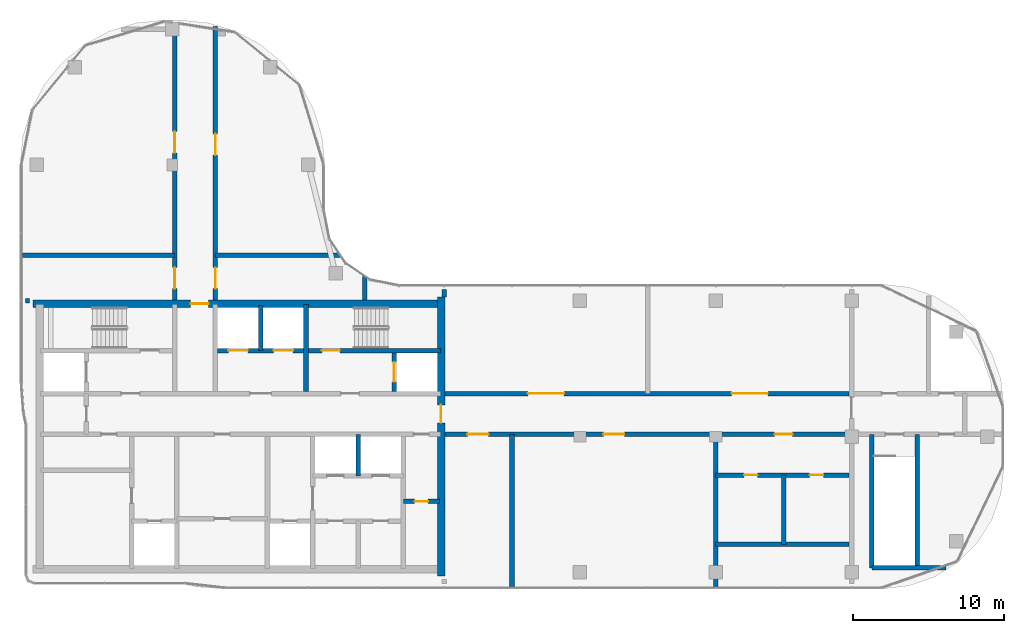
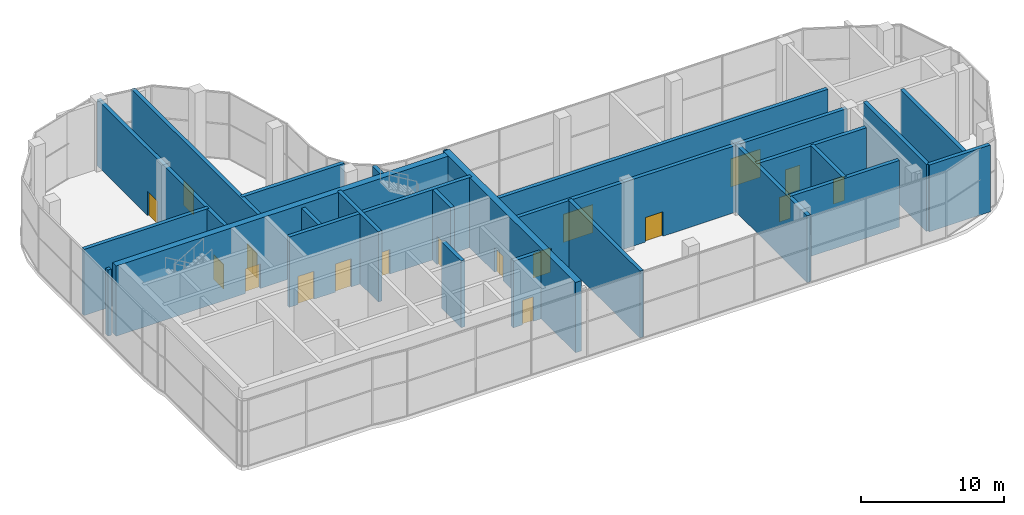
# One storey, part 17 of 21: 25 walls, 18 doors, 18 openings.
"""IFC4 building model written with IfcOpenShell, lengths in metres."""

from ifc_helpers import new_model, si_unit, direction, frame, frame_2d, origin, place, context, subcontext, project, spatial, rectangle, extrude, material, layer, layer_set, type_object, element, fill, save


model = new_model("IFC4")

# Units and contexts
model_context = context("Model", 3, precision=1e-05, world=origin(), true_north=direction((0.0, 1.0)))
body_context = subcontext(model_context, "Body", "Model", "MODEL_VIEW")
ifc_project = project(units=[si_unit("LENGTHUNIT", "METRE"), si_unit("AREAUNIT", "SQUARE_METRE"), si_unit("VOLUMEUNIT", "CUBIC_METRE"), si_unit("PLANEANGLEUNIT", "RADIAN"), si_unit("MASSUNIT", "GRAM", prefix="KILO")], contexts=[model_context])

# Site, building, storey
site_placement = place(None, origin())
site = spatial("IfcSite", under=ifc_project, at=site_placement, CompositionType="ELEMENT")
building_placement = place(site_placement, origin())
building = spatial("IfcBuilding", under=site, at=building_placement, Name="Ogive Portal Towers", CompositionType="ELEMENT")
storey_placement = place(building_placement, frame((0.0, 0.0, 266.89990234375)))
storey = spatial("IfcBuildingStorey", under=building, at=storey_placement, Name="L65", CompositionType="ELEMENT", Elevation=266.89990234375)

# Wall, openings, doors
ifc_material_1 = material(Name="Concrete C60/75", Category="concrete")
ifc_layer_1 = layer(ifc_material_1, 0.300048828125)
ifc_layer_set_1 = layer_set([ifc_layer_1], Name="CORE WALL 300 C60")
wall_type_1 = type_object("IfcWallType", Name="CORE WALL 300 C60", PredefinedType="SHEAR", material=ifc_layer_set_1)
wall_1_placement = place(storey_placement, frame((43.5, 36.199951171875, 0.0), z_axis=(0.0, 0.0, 1.0), x_axis=(1.0, 0.0, 0.0)))
wall_1 = element("IfcWall", 1, at=wall_1_placement, inside=storey, type_object=wall_type_1, Name="Core wall Y3b L65", PredefinedType="SHEAR", context=body_context, shape_type="SweptSolid", body=[
    extrude(rectangle(XDim=14.75, YDim=0.300048828125, at=frame_2d((7.375, 0.0))), origin(), (0.0, 0.0, 1.0), 6.0),
])
opening_1_placement = place(wall_1_placement, frame((6.89990234375, 0.0, 0.0)))
opening_1 = element("IfcOpeningElement", 2, at=opening_1_placement, cuts=wall_1, Name="Opening D31-006", PredefinedType="OPENING", context=body_context, shape_type="SweptSolid", body=[
    extrude(rectangle(XDim=1.199951171875, YDim=2.10009765625, at=frame_2d((0.60009765625, 1.050048828125))), frame((0.0, 0.16015625, 0.0), z_axis=(0.0, -1.0, 0.0), x_axis=(1.0, 0.0, 0.0)), (0.0, 0.0, 1.0), 0.320068359375),
])
opening_2_placement = place(wall_1_placement, frame((0.699951171875, 0.0, 0.0)))
opening_2 = element("IfcOpeningElement", 3, at=opening_2_placement, cuts=wall_1, Name="Opening D31-015", PredefinedType="OPENING", context=body_context, shape_type="SweptSolid", body=[
    extrude(rectangle(XDim=1.300048828125, YDim=2.39990234375, at=frame_2d((0.64990234375, 1.199951171875))), frame((0.0, 0.16015625, 0.0), z_axis=(0.0, -1.0, 0.0), x_axis=(1.0, 0.0, 0.0)), (0.0, 0.0, 1.0), 0.320068359375),
])
opening_3_placement = place(wall_1_placement, frame((3.699951171875, 0.0, 0.0)))
opening_3 = element("IfcOpeningElement", 4, at=opening_3_placement, cuts=wall_1, Name="Opening D31-016", PredefinedType="OPENING", context=body_context, shape_type="SweptSolid", body=[
    extrude(rectangle(XDim=1.300048828125, YDim=2.39990234375, at=frame_2d((0.64990234375, 1.199951171875))), frame((0.0, 0.16015625, 0.0), z_axis=(0.0, -1.0, 0.0), x_axis=(1.0, 0.0, 0.0)), (0.0, 0.0, 1.0), 0.320068359375),
])
ifc_material_2 = material(Name="Stainless steel", Category="steel")
door_type_1 = type_object("IfcDoorType", Name="DT-LD-1300x2400", OperationType="SLIDING_TO_LEFT", PredefinedType="DOOR", material=ifc_material_2)
door_1_placement = place(opening_2_placement, origin())
door_1 = element("IfcDoor", 5, at=door_1_placement, inside=storey, type_object=door_type_1, Name="Door D31-015", OperationType="SLIDING_TO_LEFT", OverallHeight=2.39990234375, OverallWidth=1.300048828125, PredefinedType="DOOR", context=body_context, shape_type="SweptSolid", body=[
    extrude(rectangle(XDim=1.300048828125, YDim=2.39990234375, at=frame_2d((0.64990234375, 1.199951171875))), frame((0.0, 0.02490234375, 0.0), z_axis=(0.0, -1.0, 0.0), x_axis=(1.0, 0.0, 0.0)), (0.0, 0.0, 1.0), 0.050048828125),
])
fill(opening_2, door_1)
door_2_placement = place(opening_3_placement, origin())
door_2 = element("IfcDoor", 6, at=door_2_placement, inside=storey, type_object=door_type_1, Name="Door D31-016", OperationType="SLIDING_TO_LEFT", OverallHeight=2.39990234375, OverallWidth=1.300048828125, PredefinedType="DOOR", context=body_context, shape_type="SweptSolid", body=[
    extrude(rectangle(XDim=1.300048828125, YDim=2.39990234375, at=frame_2d((0.64990234375, 1.199951171875))), frame((0.0, 0.02490234375, 0.0), z_axis=(0.0, -1.0, 0.0), x_axis=(1.0, 0.0, 0.0)), (0.0, 0.0, 1.0), 0.050048828125),
])
fill(opening_3, door_2)
ifc_material_3 = material(Name="Steel fire door", Category="steel")
door_type_2 = type_object("IfcDoorType", Name="DT-SWING-1200x2100-FD90S", OperationType="SINGLE_SWING_LEFT", PredefinedType="DOOR", material=ifc_material_3)
door_3_placement = place(opening_1_placement, origin())
door_3 = element("IfcDoor", 7, at=door_3_placement, inside=storey, type_object=door_type_2, Name="Door D31-006", OperationType="SINGLE_SWING_LEFT", OverallHeight=2.10009765625, OverallWidth=1.199951171875, PredefinedType="DOOR", context=body_context, shape_type="SweptSolid", body=[
    extrude(rectangle(XDim=1.199951171875, YDim=2.10009765625, at=frame_2d((0.60009765625, 1.050048828125))), frame((0.0, 0.02490234375, 0.0), z_axis=(0.0, -1.0, 0.0), x_axis=(1.0, 0.0, 0.0)), (0.0, 0.0, 1.0), 0.050048828125),
])
fill(opening_1, door_3)

# Wall
wall_2_placement = place(storey_placement, frame((49.35009765625, 33.5, 0.0), z_axis=(0.0, 0.0, 1.0), x_axis=(0.0, 1.0, 0.0)))
element("IfcWall", 8, at=wall_2_placement, inside=storey, type_object=wall_type_1, Name="Core wall X9 L65", PredefinedType="SHEAR", context=body_context, shape_type="SweptSolid", body=[
    extrude(rectangle(XDim=5.75, YDim=0.300048828125, at=frame_2d((2.875, 0.0))), origin(), (0.0, 0.0, 1.0), 6.0),
])

# Wall, opening, door
wall_3_placement = place(storey_placement, frame((55.199951171875, 33.5, 0.0), z_axis=(0.0, 0.0, 1.0), x_axis=(0.0, 1.0, 0.0)))
wall_3 = element("IfcWall", 9, at=wall_3_placement, inside=storey, type_object=wall_type_1, Name="Core wall X10 L65", PredefinedType="SHEAR", context=body_context, shape_type="SweptSolid", body=[
    extrude(rectangle(XDim=2.550048828125, YDim=0.300048828125, at=frame_2d((1.27490234375, 0.0))), origin(), (0.0, 0.0, 1.0), 6.0),
])
opening_4_placement = place(wall_3_placement, frame((0.625, 0.0, 0.0)))
opening_4 = element("IfcOpeningElement", 10, at=opening_4_placement, cuts=wall_3, Name="Opening D31-018", PredefinedType="OPENING", context=body_context, shape_type="SweptSolid", body=[
    extrude(rectangle(XDim=1.300048828125, YDim=2.39990234375, at=frame_2d((0.64990234375, 1.199951171875))), frame((0.0, 0.16015625, 0.0), z_axis=(0.0, -1.0, 0.0), x_axis=(1.0, 0.0, 0.0)), (0.0, 0.0, 1.0), 0.320068359375),
])
door_4_placement = place(opening_4_placement, origin())
door_4 = element("IfcDoor", 11, at=door_4_placement, inside=storey, type_object=door_type_1, Name="Door D31-018", OperationType="SLIDING_TO_LEFT", OverallHeight=2.39990234375, OverallWidth=1.300048828125, PredefinedType="DOOR", context=body_context, shape_type="SweptSolid", body=[
    extrude(rectangle(XDim=1.300048828125, YDim=2.39990234375, at=frame_2d((0.64990234375, 1.199951171875))), frame((0.0, 0.02490234375, 0.0), z_axis=(0.0, -1.0, 0.0), x_axis=(1.0, 0.0, 0.0)), (0.0, 0.0, 1.0), 0.050048828125),
])
fill(opening_4, door_4)

ifc_layer_2 = layer(ifc_material_1, 0.5)
ifc_layer_set_2 = layer_set([ifc_layer_2], Name="CORE WALL 500 C60")
wall_type_2 = type_object("IfcWallType", Name="CORE WALL 500 C60", PredefinedType="SHEAR", material=ifc_layer_set_2)
wall_4_placement = place(storey_placement, frame((58.300048828125, 21.25, 0.0), z_axis=(0.0, 0.0, 1.0), x_axis=(0.0, 1.0, 0.0)))
wall_4 = element("IfcWall", 12, at=wall_4_placement, inside=storey, type_object=wall_type_2, Name="Core wall E L65", PredefinedType="SHEAR", context=body_context, shape_type="SweptSolid", body=[
    extrude(rectangle(XDim=18.5, YDim=0.5, at=frame_2d((9.25, 0.0))), origin(), (0.0, 0.0, 1.0), 6.0),
])
opening_5_placement = place(wall_4_placement, frame((10.14990234375, 0.0, 0.0)))
opening_5 = element("IfcOpeningElement", 13, at=opening_5_placement, cuts=wall_4, Name="Opening D31-011", PredefinedType="OPENING", context=body_context, shape_type="SweptSolid", body=[
    extrude(rectangle(XDim=1.199951171875, YDim=2.10009765625, at=frame_2d((0.60009765625, 1.050048828125))), frame((0.0, 0.260009765625, 0.0), z_axis=(0.0, -1.0, 0.0), x_axis=(1.0, 0.0, 0.0)), (0.0, 0.0, 1.0), 0.52001953125),
])
door_5_placement = place(opening_5_placement, origin())
door_5 = element("IfcDoor", 14, at=door_5_placement, inside=storey, type_object=door_type_2, Name="Door D31-011", OperationType="SINGLE_SWING_LEFT", OverallHeight=2.10009765625, OverallWidth=1.199951171875, PredefinedType="DOOR", context=body_context, shape_type="SweptSolid", body=[
    extrude(rectangle(XDim=1.199951171875, YDim=2.10009765625, at=frame_2d((0.60009765625, 1.050048828125))), frame((0.0, 0.02490234375, 0.0), z_axis=(0.0, -1.0, 0.0), x_axis=(1.0, 0.0, 0.0)), (0.0, 0.0, 1.0), 0.050048828125),
])
fill(opening_5, door_5)

wall_5_placement = place(storey_placement, frame((31.25, 39.300048828125, 0.0), z_axis=(0.0, 0.0, 1.0), x_axis=(1.0, 0.0, 0.0)))
wall_5 = element("IfcWall", 15, at=wall_5_placement, inside=storey, type_object=wall_type_2, Name="Core wall N L65", PredefinedType="SHEAR", context=body_context, shape_type="SweptSolid", body=[
    extrude(rectangle(XDim=27.0, YDim=0.5, at=frame_2d((13.5, 0.0))), origin(), (0.0, 0.0, 1.0), 6.0),
])
opening_6_placement = place(wall_5_placement, frame((10.449951171875, 0.0, 0.0)))
opening_6 = element("IfcOpeningElement", 16, at=opening_6_placement, cuts=wall_5, Name="Opening D31-012", PredefinedType="OPENING", context=body_context, shape_type="SweptSolid", body=[
    extrude(rectangle(XDim=1.199951171875, YDim=2.10009765625, at=frame_2d((0.60009765625, 1.050048828125))), frame((0.0, 0.260009765625, 0.0), z_axis=(0.0, -1.0, 0.0), x_axis=(1.0, 0.0, 0.0)), (0.0, 0.0, 1.0), 0.52001953125),
])
door_6_placement = place(opening_6_placement, origin())
door_6 = element("IfcDoor", 17, at=door_6_placement, inside=storey, type_object=door_type_2, Name="Door D31-012", OperationType="SINGLE_SWING_RIGHT", OverallHeight=2.10009765625, OverallWidth=1.199951171875, PredefinedType="DOOR", context=body_context, shape_type="SweptSolid", body=[
    extrude(rectangle(XDim=1.199951171875, YDim=2.10009765625, at=frame_2d((0.60009765625, 1.050048828125))), frame((0.0, 0.02490234375, 0.0), z_axis=(0.0, -1.0, 0.0), x_axis=(1.0, 0.0, 0.0)), (0.0, 0.0, 1.0), 0.050048828125),
])
fill(opening_6, door_6)

ifc_material_4 = material(Name="Gypsum board partition on steel studs", Category="steel")
ifc_layer_3 = layer(ifc_material_4, 0.300048828125)
ifc_layer_set_3 = layer_set([ifc_layer_3], Name="WT-PART-300")
wall_type_3 = type_object("IfcWallType", Name="WT-PART-300", PredefinedType="PARTITIONING", material=ifc_layer_set_3)
wall_6_placement = place(storey_placement, frame((55.800048828125, 26.199951171875, 0.0), z_axis=(0.0, 0.0, 1.0), x_axis=(1.0, 0.0, 0.0)))
wall_6 = element("IfcWall", 18, at=wall_6_placement, inside=storey, type_object=wall_type_3, Name="Wall pw:004:L65", PredefinedType="PARTITIONING", context=body_context, shape_type="SweptSolid", body=[
    extrude(rectangle(XDim=2.39990234375, YDim=0.300048828125, at=frame_2d((1.199951171875, 0.0))), origin(), (0.0, 0.0, 1.0), 5.7001953125),
])
opening_7_placement = place(wall_6_placement, frame((0.75, 0.0, 0.0)))
opening_7 = element("IfcOpeningElement", 19, at=opening_7_placement, cuts=wall_6, Name="Opening D31-010", PredefinedType="OPENING", context=body_context, shape_type="SweptSolid", body=[
    extrude(rectangle(XDim=0.89990234375, YDim=2.10009765625, at=frame_2d((0.449951171875, 1.050048828125))), frame((0.0, 0.16015625, 0.0), z_axis=(0.0, -1.0, 0.0), x_axis=(1.0, 0.0, 0.0)), (0.0, 0.0, 1.0), 0.320068359375),
])
door_type_3 = type_object("IfcDoorType", Name="DT-SWING-900x2100-FD60S", OperationType="SINGLE_SWING_LEFT", PredefinedType="DOOR", material=ifc_material_3)
door_7_placement = place(opening_7_placement, origin())
door_7 = element("IfcDoor", 20, at=door_7_placement, inside=storey, type_object=door_type_3, Name="Door D31-010", OperationType="SINGLE_SWING_RIGHT", OverallHeight=2.10009765625, OverallWidth=0.89990234375, PredefinedType="DOOR", context=body_context, shape_type="SweptSolid", body=[
    extrude(rectangle(XDim=0.89990234375, YDim=2.10009765625, at=frame_2d((0.449951171875, 1.050048828125))), frame((0.0, 0.02490234375, 0.0), z_axis=(0.0, -1.0, 0.0), x_axis=(1.0, 0.0, 0.0)), (0.0, 0.0, 1.0), 0.050048828125),
])
fill(opening_7, door_7)

# Wall, openings, doors
ifc_layer_4 = layer(ifc_material_4, 0.300048828125)
ifc_layer_set_4 = layer_set([ifc_layer_4], Name="WT-PART-300-EI 120")
wall_type_4 = type_object("IfcWallType", Name="WT-PART-300-EI 120", PredefinedType="PARTITIONING", material=ifc_layer_set_4)
wall_7_placement = place(storey_placement, frame((58.550048828125, 30.64990234375, 0.0), z_axis=(0.0, 0.0, 1.0), x_axis=(1.0, 0.0, 0.0)))
wall_7 = element("IfcWall", 21, at=wall_7_placement, inside=storey, type_object=wall_type_4, Name="Wall L65:w004", PredefinedType="PARTITIONING", context=body_context, shape_type="SweptSolid", body=[
    extrude(rectangle(XDim=26.780029296875, YDim=0.300048828125, at=frame_2d((13.39013671875, 0.0))), origin(), (0.0, 0.0, 1.0), 5.7001953125),
])
opening_8_placement = place(wall_7_placement, frame((1.5, 0.0, 0.0)))
opening_8 = element("IfcOpeningElement", 22, at=opening_8_placement, cuts=wall_7, Name="Opening D31-028", PredefinedType="OPENING", context=body_context, shape_type="SweptSolid", body=[
    extrude(rectangle(XDim=1.39990234375, YDim=2.10009765625, at=frame_2d((0.699951171875, 1.050048828125))), frame((0.0, 0.16015625, 0.0), z_axis=(0.0, -1.0, 0.0), x_axis=(1.0, 0.0, 0.0)), (0.0, 0.0, 1.0), 0.320068359375),
])
opening_9_placement = place(wall_7_placement, frame((10.5, 0.0, 0.0)))
opening_9 = element("IfcOpeningElement", 23, at=opening_9_placement, cuts=wall_7, Name="Opening D31-029", PredefinedType="OPENING", context=body_context, shape_type="SweptSolid", body=[
    extrude(rectangle(XDim=1.39990234375, YDim=2.10009765625, at=frame_2d((0.699951171875, 1.050048828125))), frame((0.0, 0.16015625, 0.0), z_axis=(0.0, -1.0, 0.0), x_axis=(1.0, 0.0, 0.0)), (0.0, 0.0, 1.0), 0.320068359375),
])
opening_10_placement = place(wall_7_placement, frame((21.85009765625, 0.0, 0.0)))
opening_10 = element("IfcOpeningElement", 24, at=opening_10_placement, cuts=wall_7, Name="Opening D31-030", PredefinedType="OPENING", context=body_context, shape_type="SweptSolid", body=[
    extrude(rectangle(XDim=1.199951171875, YDim=2.10009765625, at=frame_2d((0.60009765625, 1.050048828125))), frame((0.0, 0.16015625, 0.0), z_axis=(0.0, -1.0, 0.0), x_axis=(1.0, 0.0, 0.0)), (0.0, 0.0, 1.0), 0.320068359375),
])
door_type_4 = type_object("IfcDoorType", Name="DT-ENTRY-1200x2100-FD90S", OperationType="SINGLE_SWING_LEFT", PredefinedType="DOOR", material=ifc_material_3)
door_8_placement = place(opening_10_placement, origin())
door_8 = element("IfcDoor", 25, at=door_8_placement, inside=storey, type_object=door_type_4, Name="Door D31-030", OperationType="SINGLE_SWING_LEFT", OverallHeight=2.10009765625, OverallWidth=1.199951171875, PredefinedType="DOOR", context=body_context, shape_type="SweptSolid", body=[
    extrude(rectangle(XDim=1.199951171875, YDim=2.10009765625, at=frame_2d((0.60009765625, 1.050048828125))), frame((0.0, 0.02490234375, 0.0), z_axis=(0.0, -1.0, 0.0), x_axis=(1.0, 0.0, 0.0)), (0.0, 0.0, 1.0), 0.050048828125),
])
fill(opening_10, door_8)
door_type_5 = type_object("IfcDoorType", Name="DT-ENTRY-1400x2100-FD90S", OperationType="SINGLE_SWING_LEFT", PredefinedType="DOOR", material=ifc_material_3)
door_9_placement = place(opening_8_placement, origin())
door_9 = element("IfcDoor", 26, at=door_9_placement, inside=storey, type_object=door_type_5, Name="Door D31-028", OperationType="SINGLE_SWING_LEFT", OverallHeight=2.10009765625, OverallWidth=1.39990234375, PredefinedType="DOOR", context=body_context, shape_type="SweptSolid", body=[
    extrude(rectangle(XDim=1.39990234375, YDim=2.10009765625, at=frame_2d((0.699951171875, 1.050048828125))), frame((0.0, 0.02490234375, 0.0), z_axis=(0.0, -1.0, 0.0), x_axis=(1.0, 0.0, 0.0)), (0.0, 0.0, 1.0), 0.050048828125),
])
fill(opening_8, door_9)
door_10_placement = place(opening_9_placement, origin())
door_10 = element("IfcDoor", 27, at=door_10_placement, inside=storey, type_object=door_type_5, Name="Door D31-029", OperationType="SINGLE_SWING_LEFT", OverallHeight=2.10009765625, OverallWidth=1.39990234375, PredefinedType="DOOR", context=body_context, shape_type="SweptSolid", body=[
    extrude(rectangle(XDim=1.39990234375, YDim=2.10009765625, at=frame_2d((0.699951171875, 1.050048828125))), frame((0.0, 0.02490234375, 0.0), z_axis=(0.0, -1.0, 0.0), x_axis=(1.0, 0.0, 0.0)), (0.0, 0.0, 1.0), 0.050048828125),
])
fill(opening_9, door_10)

wall_8_placement = place(storey_placement, frame((58.550048828125, 33.35009765625, 0.0), z_axis=(0.0, 0.0, 1.0), x_axis=(1.0, 0.0, 0.0)))
wall_8 = element("IfcWall", 28, at=wall_8_placement, inside=storey, type_object=wall_type_4, Name="Wall L65:w006", PredefinedType="PARTITIONING", context=body_context, shape_type="SweptSolid", body=[
    extrude(rectangle(XDim=26.780029296875, YDim=0.300048828125, at=frame_2d((13.39013671875, 0.0))), origin(), (0.0, 0.0, 1.0), 5.7001953125),
])
opening_11_placement = place(wall_8_placement, frame((5.5, 0.0, 0.0)))
opening_11 = element("IfcOpeningElement", 29, at=opening_11_placement, cuts=wall_8, Name="Opening D31-026", PredefinedType="OPENING", context=body_context, shape_type="SweptSolid", body=[
    extrude(rectangle(XDim=2.39990234375, YDim=2.39990234375, at=frame_2d((1.199951171875, 1.199951171875))), frame((0.0, 0.16015625, 0.0), z_axis=(0.0, -1.0, 0.0), x_axis=(1.0, 0.0, 0.0)), (0.0, 0.0, 1.0), 0.320068359375),
])
opening_12_placement = place(wall_8_placement, frame((19.0, 0.0, 0.0)))
opening_12 = element("IfcOpeningElement", 30, at=opening_12_placement, cuts=wall_8, Name="Opening D31-027", PredefinedType="OPENING", context=body_context, shape_type="SweptSolid", body=[
    extrude(rectangle(XDim=2.39990234375, YDim=2.39990234375, at=frame_2d((1.199951171875, 1.199951171875))), frame((0.0, 0.16015625, 0.0), z_axis=(0.0, -1.0, 0.0), x_axis=(1.0, 0.0, 0.0)), (0.0, 0.0, 1.0), 0.320068359375),
])
door_type_6 = type_object("IfcDoorType", Name="DT-ENTRY-2400x2400-FD90S", OperationType="SINGLE_SWING_LEFT", PredefinedType="DOOR", material=ifc_material_3)
door_11_placement = place(opening_11_placement, origin())
door_11 = element("IfcDoor", 31, at=door_11_placement, inside=storey, type_object=door_type_6, Name="Door D31-026", OperationType="SINGLE_SWING_LEFT", OverallHeight=2.39990234375, OverallWidth=2.39990234375, PredefinedType="DOOR", context=body_context, shape_type="SweptSolid", body=[
    extrude(rectangle(XDim=2.39990234375, YDim=2.39990234375, at=frame_2d((1.199951171875, 1.199951171875))), frame((0.0, 0.02490234375, 0.0), z_axis=(0.0, -1.0, 0.0), x_axis=(1.0, 0.0, 0.0)), (0.0, 0.0, 1.0), 0.050048828125),
])
fill(opening_11, door_11)
door_12_placement = place(opening_12_placement, origin())
door_12 = element("IfcDoor", 32, at=door_12_placement, inside=storey, type_object=door_type_6, Name="Door D31-027", OperationType="SINGLE_SWING_LEFT", OverallHeight=2.39990234375, OverallWidth=2.39990234375, PredefinedType="DOOR", context=body_context, shape_type="SweptSolid", body=[
    extrude(rectangle(XDim=2.39990234375, YDim=2.39990234375, at=frame_2d((1.199951171875, 1.199951171875))), frame((0.0, 0.02490234375, 0.0), z_axis=(0.0, -1.0, 0.0), x_axis=(1.0, 0.0, 0.0)), (0.0, 0.0, 1.0), 0.050048828125),
])
fill(opening_12, door_12)

# Wall
ifc_layer_5 = layer(ifc_material_4, 0.300048828125)
ifc_layer_set_5 = layer_set([ifc_layer_5], Name="WT-PART-300-EI 60")
wall_type_5 = type_object("IfcWallType", Name="WT-PART-300-EI 60", PredefinedType="PARTITIONING", material=ifc_layer_set_5)
wall_9_placement = place(storey_placement, frame((76.5, 23.35009765625, 0.0), z_axis=(0.0, 0.0, 1.0), x_axis=(1.0, 0.0, 0.0)))
element("IfcWall", 33, at=wall_9_placement, inside=storey, type_object=wall_type_5, Name="Wall L65:w002", PredefinedType="PARTITIONING", context=body_context, shape_type="SweptSolid", body=[
    extrude(rectangle(XDim=8.830078125, YDim=0.300048828125, at=frame_2d((4.4150390625, 0.0))), origin(), (0.0, 0.0, 1.0), 5.7001953125),
])

# Wall, openings, doors
wall_10_placement = place(storey_placement, frame((76.5, 27.949951171875, 0.0), z_axis=(0.0, 0.0, 1.0), x_axis=(1.0, 0.0, 0.0)))
wall_10 = element("IfcWall", 34, at=wall_10_placement, inside=storey, type_object=wall_type_5, Name="Wall L65:w003", PredefinedType="PARTITIONING", context=body_context, shape_type="SweptSolid", body=[
    extrude(rectangle(XDim=8.830078125, YDim=0.300048828125, at=frame_2d((4.4150390625, 0.0))), origin(), (0.0, 0.0, 1.0), 5.7001953125),
])
opening_13_placement = place(wall_10_placement, frame((1.875, 0.0, 0.0)))
opening_13 = element("IfcOpeningElement", 35, at=opening_13_placement, cuts=wall_10, Name="Opening D31-031", PredefinedType="OPENING", context=body_context, shape_type="SweptSolid", body=[
    extrude(rectangle(XDim=0.89990234375, YDim=2.10009765625, at=frame_2d((0.449951171875, 1.050048828125))), frame((0.0, 0.16015625, 0.0), z_axis=(0.0, -1.0, 0.0), x_axis=(1.0, 0.0, 0.0)), (0.0, 0.0, 1.0), 0.320068359375),
])
opening_14_placement = place(wall_10_placement, frame((6.22509765625, 0.0, 0.0)))
opening_14 = element("IfcOpeningElement", 36, at=opening_14_placement, cuts=wall_10, Name="Opening D31-032", PredefinedType="OPENING", context=body_context, shape_type="SweptSolid", body=[
    extrude(rectangle(XDim=0.89990234375, YDim=2.10009765625, at=frame_2d((0.449951171875, 1.050048828125))), frame((0.0, 0.16015625, 0.0), z_axis=(0.0, -1.0, 0.0), x_axis=(1.0, 0.0, 0.0)), (0.0, 0.0, 1.0), 0.320068359375),
])
door_type_7 = type_object("IfcDoorType", Name="DT-BATH-900x2100-FD60S", OperationType="SINGLE_SWING_LEFT", PredefinedType="DOOR", material=ifc_material_3)
door_13_placement = place(opening_13_placement, origin())
door_13 = element("IfcDoor", 37, at=door_13_placement, inside=storey, type_object=door_type_7, Name="Door D31-031", OperationType="SINGLE_SWING_LEFT", OverallHeight=2.10009765625, OverallWidth=0.89990234375, PredefinedType="DOOR", context=body_context, shape_type="SweptSolid", body=[
    extrude(rectangle(XDim=0.89990234375, YDim=2.10009765625, at=frame_2d((0.449951171875, 1.050048828125))), frame((0.0, 0.02490234375, 0.0), z_axis=(0.0, -1.0, 0.0), x_axis=(1.0, 0.0, 0.0)), (0.0, 0.0, 1.0), 0.050048828125),
])
fill(opening_13, door_13)
door_14_placement = place(opening_14_placement, origin())
door_14 = element("IfcDoor", 38, at=door_14_placement, inside=storey, type_object=door_type_7, Name="Door D31-032", OperationType="SINGLE_SWING_RIGHT", OverallHeight=2.10009765625, OverallWidth=0.89990234375, PredefinedType="DOOR", context=body_context, shape_type="SweptSolid", body=[
    extrude(rectangle(XDim=0.89990234375, YDim=2.10009765625, at=frame_2d((0.449951171875, 1.050048828125))), frame((0.0, 0.02490234375, 0.0), z_axis=(0.0, -1.0, 0.0), x_axis=(1.0, 0.0, 0.0)), (0.0, 0.0, 1.0), 0.050048828125),
])
fill(opening_14, door_14)

# Walls
wall_11_placement = place(storey_placement, frame((30.75, 39.5, 0.0), z_axis=(0.0, 0.0, 1.0), x_axis=(1.0, 0.0, 0.0)))
element("IfcWall", 39, at=wall_11_placement, inside=storey, type_object=wall_type_5, Name="Wall L65:w008", PredefinedType="PARTITIONING", context=body_context, shape_type="SweptSolid", body=[
    extrude(rectangle(XDim=0.280029296875, YDim=0.300048828125, at=frame_2d((0.14013671875, 0.0))), origin(), (0.0, 0.0, 1.0), 5.650146484375),
])
wall_12_placement = place(storey_placement, frame((30.570068359375, 42.5, 0.0), z_axis=(0.0, 0.0, 1.0), x_axis=(1.0, 0.0, 0.0)))
element("IfcWall", 40, at=wall_12_placement, inside=storey, type_object=wall_type_5, Name="Wall L65:w009", PredefinedType="PARTITIONING", context=body_context, shape_type="SweptSolid", body=[
    extrude(rectangle(XDim=10.079833984375, YDim=0.300048828125, at=frame_2d((5.0400390625, 0.0))), origin(), (0.0, 0.0, 1.0), 5.650146484375),
])
wall_13_placement = place(storey_placement, frame((43.35009765625, 42.5, 0.0), z_axis=(0.0, 0.0, 1.0), x_axis=(1.0, 0.0, 0.0)))
element("IfcWall", 41, at=wall_13_placement, inside=storey, type_object=wall_type_5, Name="Wall L65:w010", PredefinedType="PARTITIONING", context=body_context, shape_type="SweptSolid", body=[
    extrude(rectangle(XDim=8.243896484375, YDim=0.300048828125, at=frame_2d((4.1220703125, 0.0))), origin(), (0.0, 0.0, 1.0), 5.650146484375),
])

# Wall, openings, doors
wall_14_placement = place(storey_placement, frame((40.64990234375, 39.550048828125, 0.0), z_axis=(0.0, 0.0, 1.0), x_axis=(0.0, 1.0, 0.0)))
wall_14 = element("IfcWall", 42, at=wall_14_placement, inside=storey, type_object=wall_type_5, Name="Wall L65:w013", PredefinedType="PARTITIONING", context=body_context, shape_type="SweptSolid", body=[
    extrude(rectangle(XDim=18.199951171875, YDim=0.300048828125, at=frame_2d((9.10009765625, 0.0))), origin(), (0.0, 0.0, 1.0), 5.650146484375),
])
opening_15_placement = place(wall_14_placement, frame((0.75, 0.0, 0.0)))
opening_15 = element("IfcOpeningElement", 43, at=opening_15_placement, cuts=wall_14, Name="Opening D31-034", PredefinedType="OPENING", context=body_context, shape_type="SweptSolid", body=[
    extrude(rectangle(XDim=1.39990234375, YDim=2.10009765625, at=frame_2d((0.699951171875, 1.050048828125))), frame((0.0, 0.16015625, 0.0), z_axis=(0.0, -1.0, 0.0), x_axis=(1.0, 0.0, 0.0)), (0.0, 0.0, 1.0), 0.320068359375),
])
opening_16_placement = place(wall_14_placement, frame((9.75, 0.0, 0.0)))
opening_16 = element("IfcOpeningElement", 44, at=opening_16_placement, cuts=wall_14, Name="Opening D31-036", PredefinedType="OPENING", context=body_context, shape_type="SweptSolid", body=[
    extrude(rectangle(XDim=1.39990234375, YDim=2.10009765625, at=frame_2d((0.699951171875, 1.050048828125))), frame((0.0, 0.16015625, 0.0), z_axis=(0.0, -1.0, 0.0), x_axis=(1.0, 0.0, 0.0)), (0.0, 0.0, 1.0), 0.320068359375),
])
door_type_8 = type_object("IfcDoorType", Name="DT-ENTRY-1400x2100-FD60S", OperationType="SINGLE_SWING_LEFT", PredefinedType="DOOR", material=ifc_material_3)
door_15_placement = place(opening_15_placement, origin())
door_15 = element("IfcDoor", 45, at=door_15_placement, inside=storey, type_object=door_type_8, Name="Door D31-034", OperationType="SINGLE_SWING_LEFT", OverallHeight=2.10009765625, OverallWidth=1.39990234375, PredefinedType="DOOR", context=body_context, shape_type="SweptSolid", body=[
    extrude(rectangle(XDim=1.39990234375, YDim=2.10009765625, at=frame_2d((0.699951171875, 1.050048828125))), frame((0.0, 0.02490234375, 0.0), z_axis=(0.0, -1.0, 0.0), x_axis=(1.0, 0.0, 0.0)), (0.0, 0.0, 1.0), 0.050048828125),
])
fill(opening_15, door_15)
door_16_placement = place(opening_16_placement, origin())
door_16 = element("IfcDoor", 46, at=door_16_placement, inside=storey, type_object=door_type_8, Name="Door D31-036", OperationType="SINGLE_SWING_LEFT", OverallHeight=2.10009765625, OverallWidth=1.39990234375, PredefinedType="DOOR", context=body_context, shape_type="SweptSolid", body=[
    extrude(rectangle(XDim=1.39990234375, YDim=2.10009765625, at=frame_2d((0.699951171875, 1.050048828125))), frame((0.0, 0.02490234375, 0.0), z_axis=(0.0, -1.0, 0.0), x_axis=(1.0, 0.0, 0.0)), (0.0, 0.0, 1.0), 0.050048828125),
])
fill(opening_16, door_16)

wall_15_placement = place(storey_placement, frame((43.35009765625, 39.550048828125, 0.0), z_axis=(0.0, 0.0, 1.0), x_axis=(0.0, 1.0, 0.0)))
wall_15 = element("IfcWall", 47, at=wall_15_placement, inside=storey, type_object=wall_type_5, Name="Wall L65:w014", PredefinedType="PARTITIONING", context=body_context, shape_type="SweptSolid", body=[
    extrude(rectangle(XDim=18.10595703125, YDim=0.300048828125, at=frame_2d((9.052978515625, 0.0))), origin(), (0.0, 0.0, 1.0), 5.650146484375),
])
opening_17_placement = place(wall_15_placement, frame((0.75, 0.0, 0.0)))
opening_17 = element("IfcOpeningElement", 48, at=opening_17_placement, cuts=wall_15, Name="Opening D31-033", PredefinedType="OPENING", context=body_context, shape_type="SweptSolid", body=[
    extrude(rectangle(XDim=1.39990234375, YDim=2.10009765625, at=frame_2d((0.699951171875, 1.050048828125))), frame((0.0, 0.16015625, 0.0), z_axis=(0.0, -1.0, 0.0), x_axis=(1.0, 0.0, 0.0)), (0.0, 0.0, 1.0), 0.320068359375),
])
opening_18_placement = place(wall_15_placement, frame((9.60009765625, 0.0, 0.0)))
opening_18 = element("IfcOpeningElement", 49, at=opening_18_placement, cuts=wall_15, Name="Opening D31-035", PredefinedType="OPENING", context=body_context, shape_type="SweptSolid", body=[
    extrude(rectangle(XDim=1.39990234375, YDim=2.10009765625, at=frame_2d((0.699951171875, 1.050048828125))), frame((0.0, 0.16015625, 0.0), z_axis=(0.0, -1.0, 0.0), x_axis=(1.0, 0.0, 0.0)), (0.0, 0.0, 1.0), 0.320068359375),
])
door_17_placement = place(opening_17_placement, origin())
door_17 = element("IfcDoor", 50, at=door_17_placement, inside=storey, type_object=door_type_8, Name="Door D31-033", OperationType="SINGLE_SWING_LEFT", OverallHeight=2.10009765625, OverallWidth=1.39990234375, PredefinedType="DOOR", context=body_context, shape_type="SweptSolid", body=[
    extrude(rectangle(XDim=1.39990234375, YDim=2.10009765625, at=frame_2d((0.699951171875, 1.050048828125))), frame((0.0, 0.02490234375, 0.0), z_axis=(0.0, -1.0, 0.0), x_axis=(1.0, 0.0, 0.0)), (0.0, 0.0, 1.0), 0.050048828125),
])
fill(opening_17, door_17)
door_18_placement = place(opening_18_placement, origin())
door_18 = element("IfcDoor", 51, at=door_18_placement, inside=storey, type_object=door_type_8, Name="Door D31-035", OperationType="SINGLE_SWING_LEFT", OverallHeight=2.10009765625, OverallWidth=1.39990234375, PredefinedType="DOOR", context=body_context, shape_type="SweptSolid", body=[
    extrude(rectangle(XDim=1.39990234375, YDim=2.10009765625, at=frame_2d((0.699951171875, 1.050048828125))), frame((0.0, 0.02490234375, 0.0), z_axis=(0.0, -1.0, 0.0), x_axis=(1.0, 0.0, 0.0)), (0.0, 0.0, 1.0), 0.050048828125),
])
fill(opening_18, door_18)

# Walls
wall_16_placement = place(storey_placement, frame((53.25, 39.550048828125, 0.0), z_axis=(0.0, 0.0, 1.0), x_axis=(0.0, 1.0, 0.0)))
element("IfcWall", 52, at=wall_16_placement, inside=storey, type_object=wall_type_5, Name="Wall L65:w015", PredefinedType="PARTITIONING", context=body_context, shape_type="SweptSolid", body=[
    extrude(rectangle(XDim=1.54296875, YDim=0.300048828125, at=frame_2d((0.771484375, 0.0))), origin(), (0.0, 0.0, 1.0), 5.650146484375),
])
wall_17_placement = place(storey_placement, frame((58.5, 39.75, 0.0), z_axis=(0.0, 0.0, 1.0), x_axis=(0.0, 1.0, 0.0)))
element("IfcWall", 53, at=wall_17_placement, inside=storey, type_object=wall_type_5, Name="Wall L65:w017", PredefinedType="PARTITIONING", context=body_context, shape_type="SweptSolid", body=[
    extrude(rectangle(XDim=0.5, YDim=0.300048828125, at=frame_2d((0.25, 0.0))), origin(), (0.0, 0.0, 1.0), 5.7001953125),
])
for number, where, z_axis, x_axis, name in (
    (54, (63.0, 20.570068359375, 0.0), (0.0, 0.0, 1.0), (0.0, 1.0, 0.0), "Wall L65:w018"),
    (55, (76.5, 20.570068359375, 0.0), (0.0, 0.0, 1.0), (0.0, 1.0, 0.0), "Wall L65:w020"),
):
    element("IfcWall", number, at=place(storey_placement, frame(where, z_axis=z_axis, x_axis=x_axis)), inside=storey, type_object=wall_type_5, Name=name, PredefinedType="PARTITIONING", context=body_context, shape_type="SweptSolid", body=[
        extrude(rectangle(XDim=10.079833984375, YDim=0.300048828125, at=frame_2d((5.0400390625, 0.0))), origin(), (0.0, 0.0, 1.0), 5.7001953125),
    ])
wall_18_placement = place(storey_placement, frame((81.0, 23.35009765625, 0.0), z_axis=(0.0, 0.0, 1.0), x_axis=(0.0, 1.0, 0.0)))
element("IfcWall", 56, at=wall_18_placement, inside=storey, type_object=wall_type_5, Name="Wall L65:w021", PredefinedType="PARTITIONING", context=body_context, shape_type="SweptSolid", body=[
    extrude(rectangle(XDim=4.599853515625, YDim=0.300048828125, at=frame_2d((2.2998046875, 0.0))), origin(), (0.0, 0.0, 1.0), 5.7001953125),
])
ifc_material_5 = material(Name="Concrete C40/50", Category="concrete")
ifc_layer_6 = layer(ifc_material_5, 0.300048828125)
ifc_layer_set_6 = layer_set([ifc_layer_6], Name="WT-SHAFT-300")
wall_type_6 = type_object("IfcWallType", Name="WT-SHAFT-300", PredefinedType="SOLIDWALL", material=ifc_layer_set_6)
wall_19_placement = place(storey_placement, frame((46.35009765625, 36.199951171875, 0.0), z_axis=(0.0, 0.0, 1.0), x_axis=(0.0, 1.0, 0.0)))
element("IfcWall", 57, at=wall_19_placement, inside=storey, type_object=wall_type_6, Name="Wall pw:008:L65", PredefinedType="SOLIDWALL", context=body_context, shape_type="SweptSolid", body=[
    extrude(rectangle(XDim=3.0, YDim=0.300048828125, at=frame_2d((1.5, 0.0))), origin(), (0.0, 0.0, 1.0), 5.7001953125),
])
wall_20_placement = place(storey_placement, frame((52.800048828125, 27.89990234375, 0.0), z_axis=(0.0, 0.0, 1.0), x_axis=(0.0, 1.0, 0.0)))
element("IfcWall", 58, at=wall_20_placement, inside=storey, type_object=wall_type_6, Name="Wall pw:010:L65", PredefinedType="SOLIDWALL", context=body_context, shape_type="SweptSolid", body=[
    extrude(rectangle(XDim=2.75, YDim=0.300048828125, at=frame_2d((1.375, 0.0))), origin(), (0.0, 0.0, 1.0), 5.7001953125),
])
wall_21_placement = place(storey_placement, frame((86.85009765625, 21.800048828125, 0.0), z_axis=(0.0, 0.0, 1.0), x_axis=(1.0, 0.0, 0.0)))
element("IfcWall", 59, at=wall_21_placement, inside=storey, type_object=wall_type_6, Name="Wall L65:w001", PredefinedType="SOLIDWALL", context=body_context, shape_type="SweptSolid", body=[
    extrude(rectangle(XDim=4.91796875, YDim=0.300048828125, at=frame_2d((2.458984375, 0.0))), origin(), (0.0, 0.0, 1.0), 5.7001953125),
])
for number, where, z_axis, x_axis, name in (
    (60, (86.85009765625, 21.800048828125, 0.0), (0.0, 0.0, 1.0), (0.0, 1.0, 0.0), "Wall L65:w022"),
    (61, (89.85009765625, 21.800048828125, 0.0), (0.0, 0.0, 1.0), (0.0, 1.0, 0.0), "Wall L65:w023"),
):
    element("IfcWall", number, at=place(storey_placement, frame(where, z_axis=z_axis, x_axis=x_axis)), inside=storey, type_object=wall_type_6, Name=name, PredefinedType="SOLIDWALL", context=body_context, shape_type="SweptSolid", body=[
        extrude(rectangle(XDim=8.849853515625, YDim=0.300048828125, at=frame_2d((4.4248046875, 0.0))), origin(), (0.0, 0.0, 1.0), 5.7001953125),
    ])

save(model, "model.ifc")
